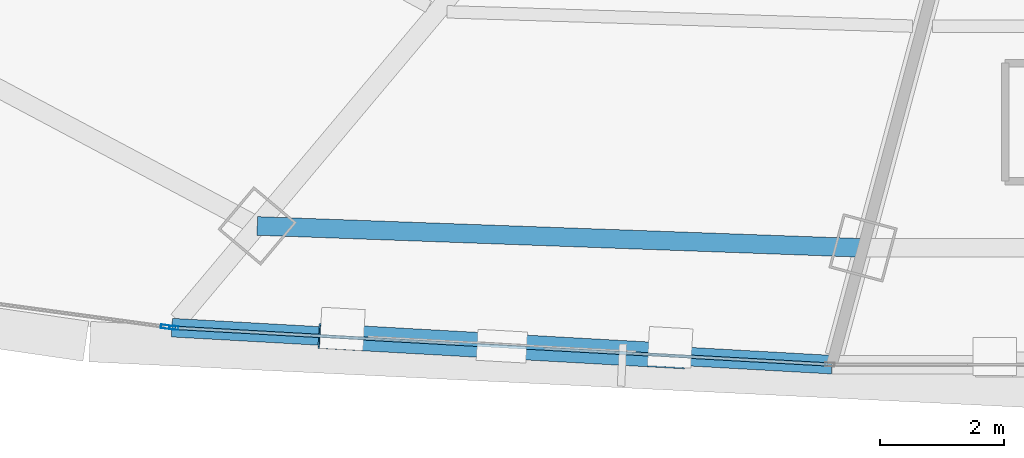
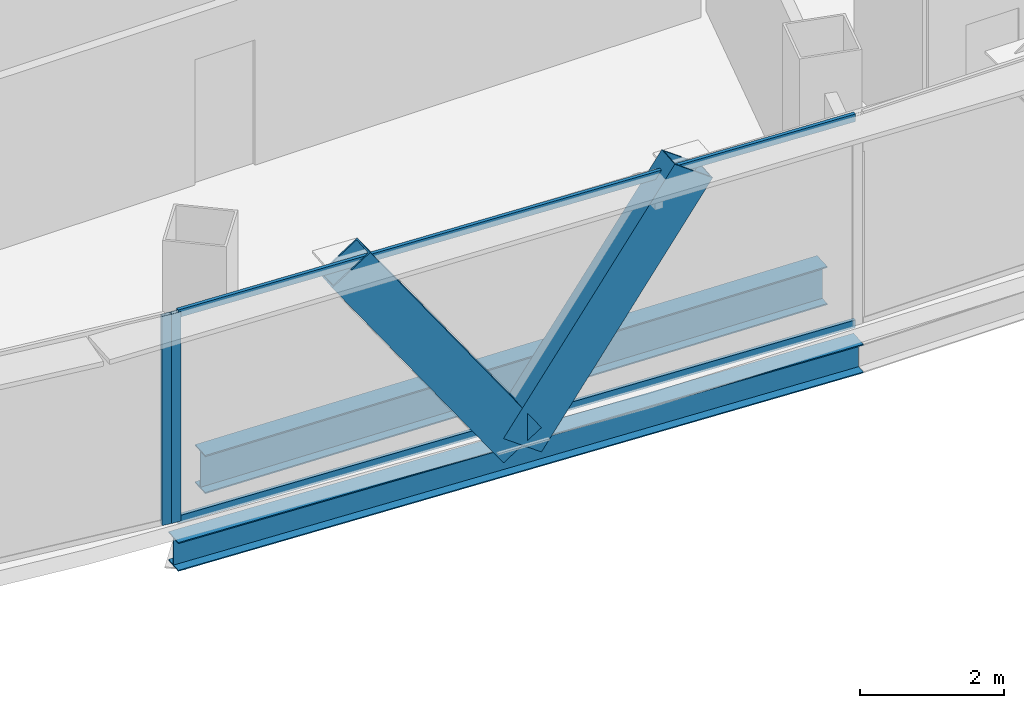
# One storey, part 6 of 37: 6 members, 2 beams, 2 elements without a shape of their own.
"""IFC4 building model written with IfcOpenShell, lengths in metres."""

from ifc_helpers import new_model, si_unit, direction, frame, origin, origin_2d, place, context, subcontext, project, spatial, hollow_rectangle, i_section, extrude, source, transform, mapped, material, layer, layer_set, material_profile, profile_set, type_object, element, aggregate, save


model = new_model("IFC4")

# Units and contexts
model_context = context("Model", 3, precision=1e-05, world=origin(), true_north=direction((0.0, 1.0)))
body_context = subcontext(model_context, "Body", "Model", "MODEL_VIEW")
ifc_project = project(units=[si_unit("LENGTHUNIT", "METRE"), si_unit("AREAUNIT", "SQUARE_METRE"), si_unit("VOLUMEUNIT", "CUBIC_METRE"), si_unit("PLANEANGLEUNIT", "RADIAN"), si_unit("MASSUNIT", "GRAM", prefix="KILO"), si_unit("THERMODYNAMICTEMPERATUREUNIT", "KELVIN"), si_unit("POWERUNIT", "WATT")], contexts=[model_context])

# Site, building, storey
site_placement = place(None, origin())
site = spatial("IfcSite", under=ifc_project, at=site_placement, CompositionType="ELEMENT")
building_placement = place(site_placement, origin())
building = spatial("IfcBuilding", under=site, at=building_placement, Name="Yunzhuo Pagoda Commons", CompositionType="ELEMENT")
storey_placement = place(building_placement, frame((0.0, 0.0, 199.9599609375)))
storey = spatial("IfcBuildingStorey", under=building, at=storey_placement, Name="L50", CompositionType="ELEMENT", Elevation=199.9599609375)

# Beams
ifc_material_1 = material(Name="Structural steel Q355B", Category="steel")
ifc_material_profile_1 = material_profile(ifc_material_1, i_section(OverallWidth=0.300048828125, OverallDepth=0.64990234375, WebThickness=0.012939453125, FlangeThickness=0.02197265625, at=origin_2d()), Name="Structural steel Q355B")
ifc_profile_set_1 = profile_set([ifc_material_profile_1], Name="Structural steel Q355B")
beam_type_1 = type_object("IfcBeamType", Name="B-RG2 Beam HN 650x300x13x22", PredefinedType="BEAM", material=ifc_profile_set_1)
shared_shape_1 = source(origin(), body_context, "Body", "SweptSolid", [
    extrude(i_section(OverallWidth=0.300048828125, OverallDepth=0.64990234375, WebThickness=0.012939453125, FlangeThickness=0.02197265625, at=origin_2d()), origin(), (0.0, 0.0, 1.0), 9.755126953125),
])
beam_1_placement = place(storey_placement, frame((33.538818359375, 16.4658203125, -0.5849609375), z_axis=(0.999343161351, -0.036238734258, 0.0), x_axis=(0.036238734258, 0.999343161351, 0.0)))
element("IfcBeam", 1, at=beam_1_placement, inside=storey, type_object=beam_type_1, Name="L50 column-ring beam 1", PredefinedType="BEAM", context=body_context, shape_type="MappedRepresentation", body=[
    mapped(shared_shape_1, transform((0.0, 0.0, 0.0), scale=1.0)),
])
ifc_material_profile_2 = material_profile(ifc_material_1, i_section(OverallWidth=0.300048828125, OverallDepth=0.488037109375, WebThickness=0.010986328125, FlangeThickness=0.01806640625, at=origin_2d()), Name="Structural steel Q355B")
ifc_profile_set_2 = profile_set([ifc_material_profile_2], Name="Structural steel Q355B")
beam_type_2 = type_object("IfcBeamType", Name="B-SP1 Beam HM 488x300x11x18", PredefinedType="BEAM", material=ifc_profile_set_2)
shared_shape_2 = source(origin(), body_context, "Body", "SweptSolid", [
    extrude(i_section(OverallWidth=0.300048828125, OverallDepth=0.488037109375, WebThickness=0.010986328125, FlangeThickness=0.01806640625, at=origin_2d()), origin(), (0.0, 0.0, 1.0), 10.635498046875),
])
beam_2_placement = place(storey_placement, frame((32.165283203125, 14.8291015625, -0.50390625), z_axis=(0.998431472294, -0.055987455131, 0.0), x_axis=(0.055987455131, 0.998431472294, 0.0)))
element("IfcBeam", 2, at=beam_2_placement, inside=storey, type_object=beam_type_2, Name="L50 facade edge spandrel beam F1.1", PredefinedType="BEAM", context=body_context, shape_type="MappedRepresentation", body=[
    mapped(shared_shape_2, transform((0.0, 0.0, 0.0), scale=1.0)),
])

# Members
ifc_material_profile_3 = material_profile(ifc_material_1, hollow_rectangle(XDim=0.39990234375, YDim=0.719970703125, WallThickness=0.02392578125, at=origin_2d()), Name="Structural steel Q355B")
ifc_profile_set_3 = profile_set([ifc_material_profile_3], Name="Structural steel Q355B")
member_type_1 = type_object("IfcMemberType", Name="M-DL2 Brace BOX 720x400x24", PredefinedType="BRACE", material=ifc_profile_set_3)
shared_shape_3 = source(origin(), body_context, "Body", "SweptSolid", [
    extrude(hollow_rectangle(XDim=0.39990234375, YDim=0.719970703125, WallThickness=0.02392578125, at=origin_2d()), origin(), (0.0, 0.0, 1.0), 4.6376953125),
])
member_1_placement = place(storey_placement, frame((37.474609375, 14.53125, -0.260009765625), z_axis=(-0.572371416093, 0.032111336689, 0.819365500919), x_axis=(-0.056014189589, -0.99842997279, 0.0)))
element("IfcMember", 3, at=member_1_placement, inside=storey, type_object=member_type_1, Name="L50 facade diamond brace F1.1L", PredefinedType="BRACE", context=body_context, shape_type="MappedRepresentation", body=[
    mapped(shared_shape_3, transform((0.0, 0.0, 0.0), scale=1.0)),
])
shared_shape_4 = source(origin(), body_context, "Body", "SweptSolid", [
    extrude(hollow_rectangle(XDim=0.39990234375, YDim=0.719970703125, WallThickness=0.02392578125, at=origin_2d()), origin(), (0.0, 0.0, 1.0), 4.63818359375),
])
member_2_placement = place(storey_placement, frame((37.474609375, 14.53125, -0.260009765625), z_axis=(0.57244220108, -0.032109401624, 0.81931612504), x_axis=(0.056003920442, 0.998430548859, 0.0)))
element("IfcMember", 4, at=member_2_placement, inside=storey, type_object=member_type_1, Name="L50 facade diamond brace F1.1R", PredefinedType="BRACE", context=body_context, shape_type="MappedRepresentation", body=[
    mapped(shared_shape_4, transform((0.0, 0.0, 0.0), scale=1.0)),
])

# Curtain wall, member
ifc_material_2 = material(Name="Anodized aluminium 6063-T6", Category="aluminium")
ifc_layer = layer(ifc_material_2, 0.14990234375)
ifc_layer_set = layer_set([ifc_layer], Name="Anodized aluminium 6063-T6")
curtain_wall_type = type_object("IfcCurtainWallType", Name="CW-MID Mid-Zone Ribbon Curtain Wall", PredefinedType="NOTDEFINED", material=ifc_layer_set)
curtain_wall_1_placement = place(storey_placement, origin())
curtain_wall_1 = element("IfcCurtainWall", 5, at=curtain_wall_1_placement, inside=storey, type_object=curtain_wall_type, Name="L50 curtain wall CW-L50-F1B2", PredefinedType="NOTDEFINED")
ifc_material_profile_4 = material_profile(ifc_material_2, hollow_rectangle(XDim=0.06005859375, YDim=0.14990234375, WallThickness=0.00390625, at=origin_2d()), Name="Anodized aluminium 6063-T6")
ifc_profile_set_4 = profile_set([ifc_material_profile_4], Name="Anodized aluminium 6063-T6")
member_type_2 = type_object("IfcMemberType", Name="CW-MID-M Mullion RHS 150x60x4", PredefinedType="MULLION", material=ifc_profile_set_4)
shared_shape_5 = source(origin(), body_context, "Body", "SweptSolid", [
    extrude(hollow_rectangle(XDim=0.06005859375, YDim=0.14990234375, WallThickness=0.00390625, at=origin_2d()), origin(), (0.0, 0.0, 1.0), 3.5400390625),
])
member_3_placement = place(storey_placement, frame((32.195556640625, 14.827392578125, 0.0), z_axis=(0.0, 0.0, 1.0), x_axis=(0.055982959182, 0.998431724396, 0.0)))
member_3 = element("IfcMember", 6, at=member_3_placement, type_object=member_type_2, Name="CW mullion 1", PredefinedType="MULLION", context=body_context, shape_type="MappedRepresentation", body=[
    mapped(shared_shape_5, transform((0.0, 0.0, 0.0), scale=1.0)),
])

curtain_wall_2_placement = place(storey_placement, origin())
curtain_wall_2 = element("IfcCurtainWall", 7, at=curtain_wall_2_placement, inside=storey, type_object=curtain_wall_type, Name="L50 curtain wall CW-L50-F1B1", PredefinedType="NOTDEFINED")
member_4_placement = place(storey_placement, frame((32.061279296875, 14.84326171875, 0.0), z_axis=(0.0, 0.0, 1.0), x_axis=(0.135312015534, 0.990803037163, 0.0)))
member_4 = element("IfcMember", 8, at=member_4_placement, type_object=member_type_2, Name="CW mullion 2", PredefinedType="MULLION", context=body_context, shape_type="MappedRepresentation", body=[
    mapped(shared_shape_5, transform((0.0, 0.0, 0.0), scale=1.0)),
])
aggregate(curtain_wall_2, [member_4])

# Member
ifc_material_profile_5 = material_profile(ifc_material_2, hollow_rectangle(XDim=0.054931640625, YDim=0.1298828125, WallThickness=0.00341796875, at=origin_2d()), Name="Anodized aluminium 6063-T6")
ifc_profile_set_5 = profile_set([ifc_material_profile_5], Name="Anodized aluminium 6063-T6")
member_type_3 = type_object("IfcMemberType", Name="CW-MID-T Transom RHS 130x55x3.5", PredefinedType="USERDEFINED", material=ifc_profile_set_5)
shared_shape_6 = source(origin(), body_context, "Body", "SweptSolid", [
    extrude(hollow_rectangle(XDim=0.054931640625, YDim=0.1298828125, WallThickness=0.00341796875, at=origin_2d()), origin(), (0.0, 0.0, 1.0), 10.515380859375),
])
member_5_placement = place(storey_placement, frame((32.22509765625, 14.82568359375, 0.027587890625), z_axis=(0.998433375605, -0.055953502819, 0.0), x_axis=(0.055953502819, 0.998433375605, 0.0)))
member_5 = element("IfcMember", 9, at=member_5_placement, type_object=member_type_3, Name="CW transom 1.1", ObjectType="TRANSOM", PredefinedType="USERDEFINED", context=body_context, shape_type="MappedRepresentation", body=[
    mapped(shared_shape_6, transform((0.0, 0.0, 0.0), scale=1.0)),
])

member_6_placement = place(storey_placement, frame((32.22509765625, 14.82568359375, 3.512451171875), z_axis=(0.998433375605, -0.055953502819, 0.0), x_axis=(0.055953502819, 0.998433375605, 0.0)))
member_6 = element("IfcMember", 10, at=member_6_placement, type_object=member_type_3, Name="CW transom 1.2", ObjectType="TRANSOM", PredefinedType="USERDEFINED", context=body_context, shape_type="MappedRepresentation", body=[
    mapped(shared_shape_6, transform((0.0, 0.0, 0.0), scale=1.0)),
])

aggregate(curtain_wall_1, [member_3, member_5, member_6])

save(model, "model.ifc")
